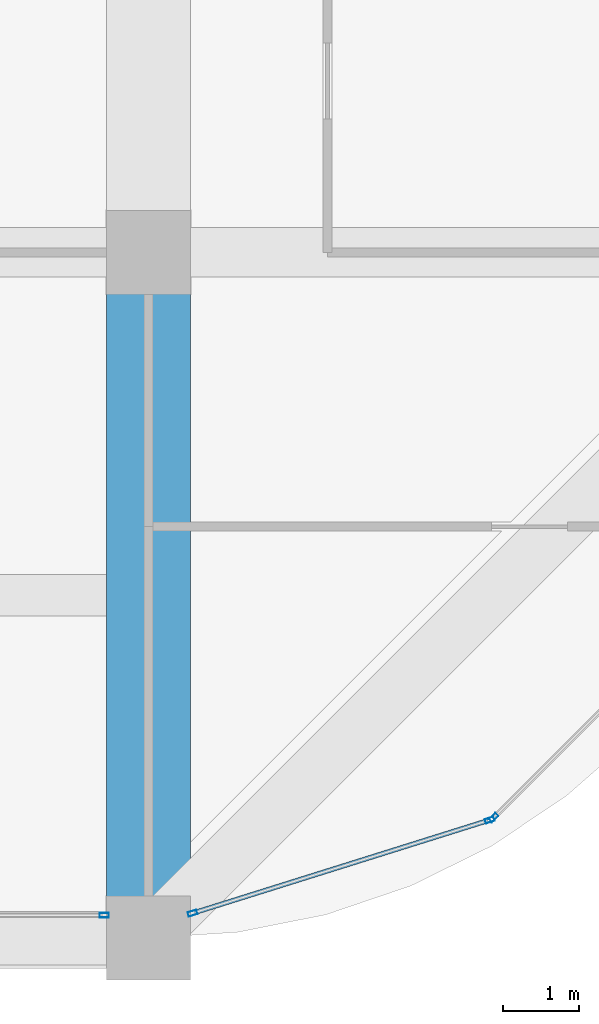
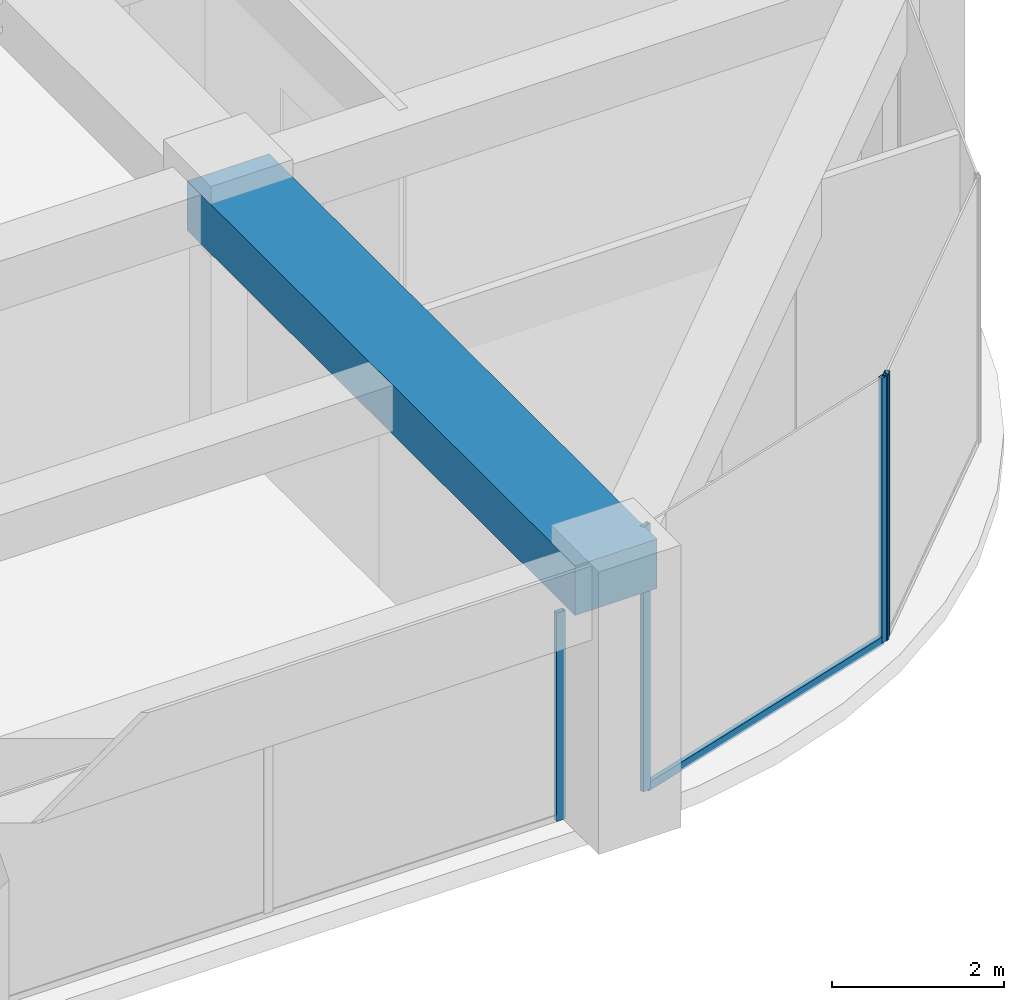
# One storey, part 18 of 45: 5 members, 1 beam, 3 elements without a shape of their own.
"""IFC4 building model written with IfcOpenShell, lengths in metres."""

from ifc_helpers import new_model, si_unit, direction, frame, origin, origin_2d, place, context, subcontext, project, spatial, rectangle, hollow_rectangle, extrude, material, material_profile, profile_set, type_object, element, aggregate, save


model = new_model("IFC4")

# Units and contexts
model_context = context("Model", 3, precision=1e-05, world=origin(), true_north=direction((0.0, 1.0)))
body_context = subcontext(model_context, "Body", "Model", "MODEL_VIEW")
ifc_project = project(units=[si_unit("LENGTHUNIT", "METRE"), si_unit("AREAUNIT", "SQUARE_METRE"), si_unit("VOLUMEUNIT", "CUBIC_METRE"), si_unit("PLANEANGLEUNIT", "RADIAN"), si_unit("MASSUNIT", "GRAM", prefix="KILO")], contexts=[model_context])

# Site, building, storey
site_placement = place(None, origin())
site = spatial("IfcSite", under=ifc_project, at=site_placement, CompositionType="ELEMENT")
building_placement = place(site_placement, origin())
building = spatial("IfcBuilding", under=site, at=building_placement, Name="Zorevar Civic Tower", CompositionType="ELEMENT")
storey_placement = place(building_placement, frame((0.0, 0.0, 291.39990234375)))
storey = spatial("IfcBuildingStorey", under=building, at=storey_placement, Name="L71", CompositionType="ELEMENT", Elevation=291.39990234375)

# Beam
ifc_material_1 = material(Name="Concrete C50/60", Category="concrete")
ifc_material_profile_1 = material_profile(ifc_material_1, rectangle(XDim=1.10009765625, YDim=0.699951171875, at=origin_2d()), Name="RC 1100x700")
ifc_profile_set_1 = profile_set([ifc_material_profile_1], Name="Concrete C50/60")
beam_type = type_object("IfcBeamType", Name="Beam RC 1100x700", PredefinedType="BEAM", material=ifc_profile_set_1)
beam_placement = place(storey_placement, frame((45.0, 0.0, 3.400146484375), z_axis=(0.0, 1.0, 0.0), x_axis=(-1.0, 0.0, 0.0)))
element("IfcBeam", 1, at=beam_placement, inside=storey, type_object=beam_type, Name="Girder L72", PredefinedType="BEAM", context=body_context, shape_type="SweptSolid", body=[
    extrude(rectangle(XDim=1.10009765625, YDim=0.699951171875, at=origin_2d()), origin(), (0.0, 0.0, 1.0), 9.0),
])

# Curtain wall, member
ifc_material_2 = material(Name="Dark grey solar-control glass in black aluminium frame", Category="aluminium")
curtain_wall_type = type_object("IfcCurtainWallType", Name="Curtain wall CW5 top zone", PredefinedType="NOTDEFINED", material=ifc_material_2)
curtain_wall_1_placement = place(storey_placement, origin())
curtain_wall_1 = element("IfcCurtainWall", 2, at=curtain_wall_1_placement, inside=storey, type_object=curtain_wall_type, Name="CW5 L71", PredefinedType="NOTDEFINED")
ifc_material_3 = material(Name="Aluminium, black anodised", Category="aluminium")
ifc_material_profile_2 = material_profile(ifc_material_3, hollow_rectangle(XDim=0.06005859375, YDim=0.1201171875, WallThickness=0.0029296875, at=origin_2d()), Name="AL 120x60x3")
ifc_profile_set_2 = profile_set([ifc_material_profile_2], Name="Aluminium, black anodised")
member_type_1 = type_object("IfcMemberType", Name="CW5 mullion AL 120x60x3", PredefinedType="MULLION", material=ifc_profile_set_2)
member_1_placement = place(storey_placement, frame((44.419921875, 0.300048828125, 0.0), z_axis=(0.0, 0.0, 1.0), x_axis=(0.0, 1.0, 0.0)))
member_1 = element("IfcMember", 3, at=member_1_placement, type_object=member_type_1, Name="CW5 mullion 3", PredefinedType="MULLION", context=body_context, shape_type="SweptSolid", body=[
    extrude(hollow_rectangle(XDim=0.06005859375, YDim=0.1201171875, WallThickness=0.0029296875, at=origin_2d()), origin(), (0.0, 0.0, 1.0), 2.9501953125),
])
aggregate(curtain_wall_1, [member_1])

# Curtain wall, members
curtain_wall_2_placement = place(storey_placement, origin())
curtain_wall_2 = element("IfcCurtainWall", 4, at=curtain_wall_2_placement, inside=storey, type_object=curtain_wall_type, Name="CW5 L71", PredefinedType="NOTDEFINED")
member_2_placement = place(storey_placement, frame((45.57861328125, 0.326416015625, 0.0), z_axis=(0.0, 0.0, 1.0), x_axis=(-0.299317920238, 0.954153437674, 0.0)))
member_2 = element("IfcMember", 5, at=member_2_placement, type_object=member_type_1, Name="CW5 mullion 1", PredefinedType="MULLION", context=body_context, shape_type="SweptSolid", body=[
    extrude(hollow_rectangle(XDim=0.06005859375, YDim=0.1201171875, WallThickness=0.0029296875, at=origin_2d()), origin(), (0.0, 0.0, 1.0), 3.75),
])
member_3_placement = place(storey_placement, frame((49.479248046875, 1.550048828125, 0.0), z_axis=(0.0, 0.0, 1.0), x_axis=(-0.299317920238, 0.954153437674, 0.0)))
member_3 = element("IfcMember", 6, at=member_3_placement, type_object=member_type_1, Name="CW5 mullion 2", PredefinedType="MULLION", context=body_context, shape_type="SweptSolid", body=[
    extrude(hollow_rectangle(XDim=0.06005859375, YDim=0.1201171875, WallThickness=0.0029296875, at=origin_2d()), origin(), (0.0, 0.0, 1.0), 3.75),
])

# Curtain wall, member
curtain_wall_3_placement = place(storey_placement, origin())
curtain_wall_3 = element("IfcCurtainWall", 7, at=curtain_wall_3_placement, inside=storey, type_object=curtain_wall_type, Name="CW5 L71", PredefinedType="NOTDEFINED")
member_4_placement = place(storey_placement, frame((49.529052734375, 1.580322265625, 0.0), z_axis=(0.0, 0.0, 1.0), x_axis=(-0.707106781187, 0.707106781187, 0.0)))
member_4 = element("IfcMember", 8, at=member_4_placement, type_object=member_type_1, Name="CW5 mullion 1", PredefinedType="MULLION", context=body_context, shape_type="SweptSolid", body=[
    extrude(hollow_rectangle(XDim=0.06005859375, YDim=0.1201171875, WallThickness=0.0029296875, at=origin_2d()), origin(), (0.0, 0.0, 1.0), 3.75),
])
aggregate(curtain_wall_3, [member_4])

# Member
ifc_material_4 = material(Name="Aluminium, black anodised", Category="aluminium")
ifc_material_profile_3 = material_profile(ifc_material_4, hollow_rectangle(XDim=0.06005859375, YDim=0.1201171875, WallThickness=0.0029296875, at=origin_2d()), Name="AL 120x60x3")
ifc_profile_set_3 = profile_set([ifc_material_profile_3], Name="Aluminium, black anodised")
member_type_2 = type_object("IfcMemberType", Name="CW5 transom AL 120x60x3", PredefinedType="USERDEFINED", material=ifc_profile_set_3)
member_5_placement = place(storey_placement, frame((45.607177734375, 0.33544921875, 0.030029296875), z_axis=(0.954163457351, 0.299285978047, 0.0), x_axis=(-0.299285978047, 0.954163457351, 0.0)))
member_5 = element("IfcMember", 9, at=member_5_placement, type_object=member_type_2, Name="CW5 sill transom", ObjectType="TRANSOM", PredefinedType="USERDEFINED", context=body_context, shape_type="SweptSolid", body=[
    extrude(hollow_rectangle(XDim=0.06005859375, YDim=0.1201171875, WallThickness=0.0029296875, at=origin_2d()), origin(), (0.0, 0.0, 1.0), 4.028076171875),
])

aggregate(curtain_wall_2, [member_2, member_3, member_5])

save(model, "model.ifc")
